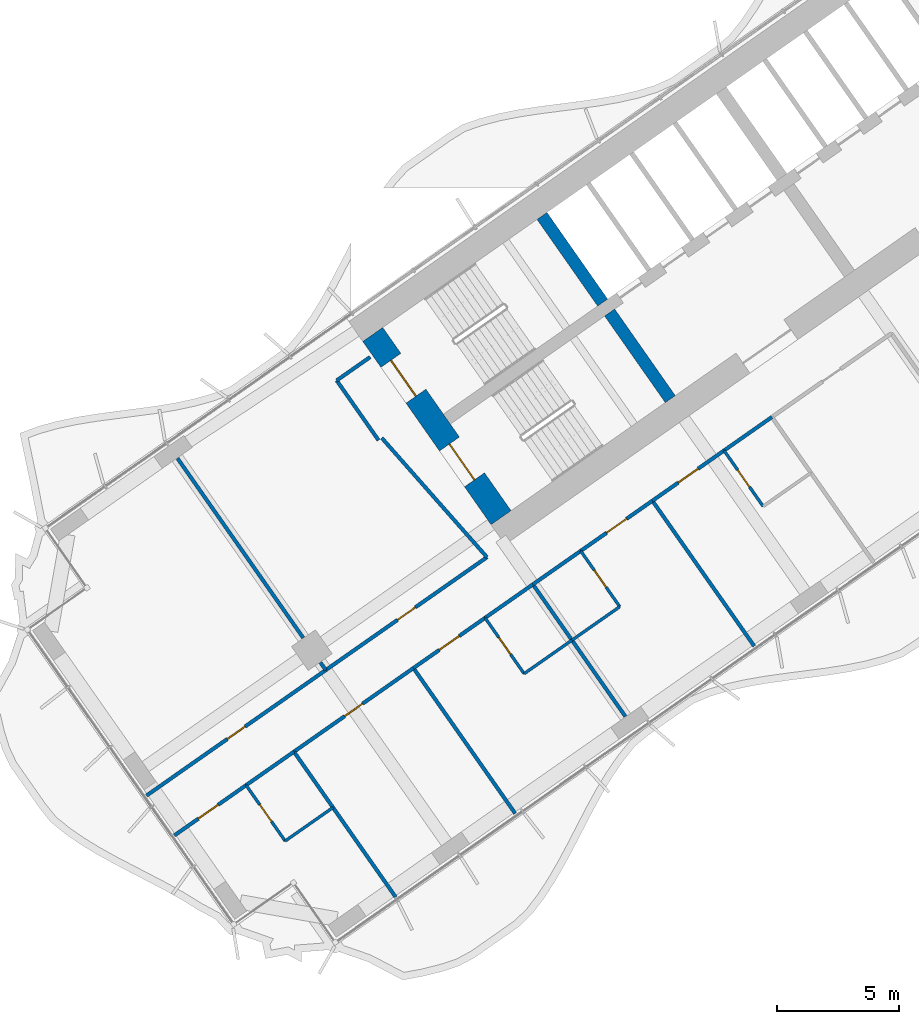
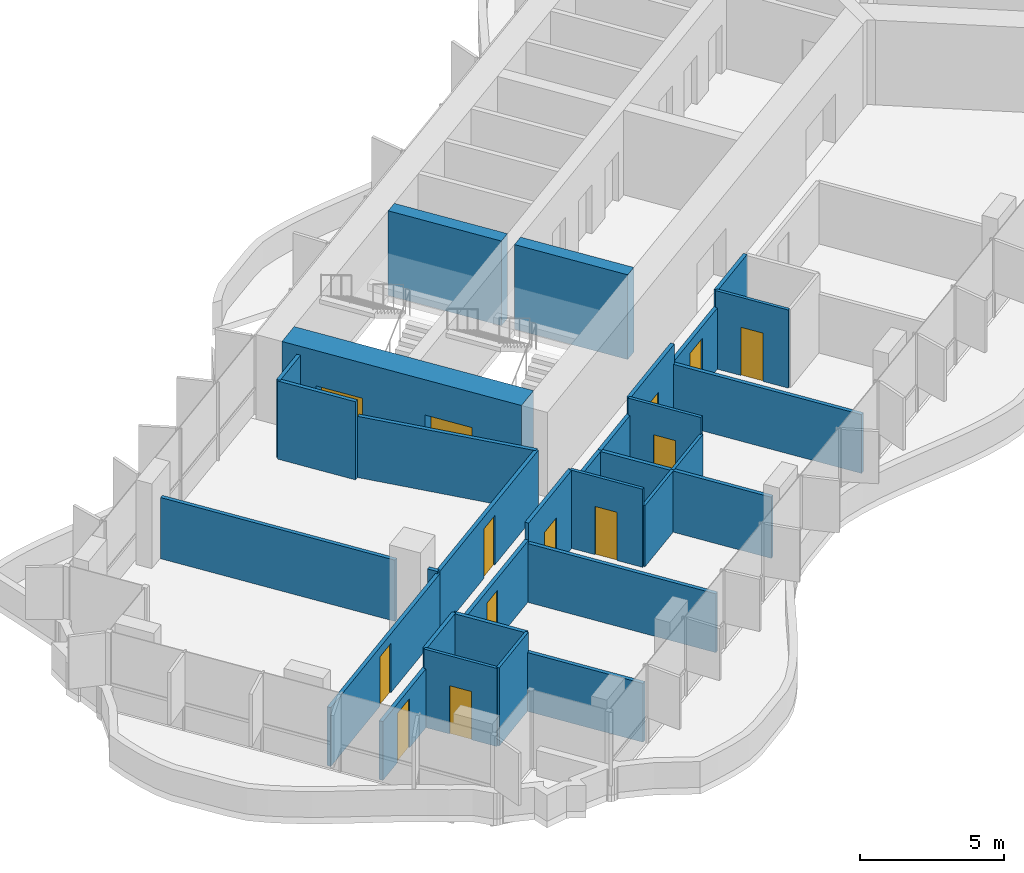
# One storey, part 12 of 23: 32 walls, 13 doors, 13 openings.
"""IFC4 building model written with IfcOpenShell, lengths in metres."""

from ifc_helpers import new_model, si_unit, direction, frame, frame_2d, origin, place, context, subcontext, project, spatial, polyline, rectangle, outline, extrude, material, layer, layer_set, type_object, element, fill, save


model = new_model("IFC4")

# Units and contexts
model_context = context("Model", 3, precision=1e-05, world=origin(), true_north=direction((0.0, 1.0)))
body_context = subcontext(model_context, "Body", "Model", "MODEL_VIEW")
ifc_project = project(units=[si_unit("LENGTHUNIT", "METRE"), si_unit("AREAUNIT", "SQUARE_METRE"), si_unit("VOLUMEUNIT", "CUBIC_METRE"), si_unit("PLANEANGLEUNIT", "RADIAN"), si_unit("MASSUNIT", "GRAM", prefix="KILO")], contexts=[model_context])

# Site, building, storey
site_placement = place(None, origin())
site = spatial("IfcSite", under=ifc_project, at=site_placement, CompositionType="ELEMENT")
building_placement = place(site_placement, origin())
building = spatial("IfcBuilding", under=site, at=building_placement, Name="Tel Ilan Convention Tower", CompositionType="ELEMENT")
storey_placement = place(building_placement, frame((0.0, 0.0, 115.699951171875)))
storey = spatial("IfcBuildingStorey", under=building, at=storey_placement, Name="L25", CompositionType="ELEMENT", Elevation=115.699951171875)

# Wall, openings, doors
ifc_material_1 = material(Name="Concrete C60/75", Category="concrete")
ifc_layer_1 = layer(ifc_material_1, 1.0)
ifc_layer_set_1 = layer_set([ifc_layer_1], Name="Core Shear Wall 1000 mm C60/75")
wall_type_1 = type_object("IfcWallType", Name="Core Shear Wall 1000 mm C60/75", PredefinedType="SHEAR", material=ifc_layer_set_1)
wall_1_placement = place(storey_placement, frame((-21.70751953125, -15.19970703125, 0.0), z_axis=(0.0, 0.0, 1.0), x_axis=(-0.573576324356, 0.819152122709, 0.0)))
wall_1 = element("IfcWall", 1, at=wall_1_placement, inside=storey, type_object=wall_type_1, Name="L25 core wall W-end", PredefinedType="SHEAR", context=body_context, shape_type="SweptSolid", body=[
    extrude(outline(polyline([(0.0, 0.5), (0.0, -0.5), (9.199951171875, -0.5), (9.199951171875, 0.5), (0.0, 0.5)])), origin(), (0.0, 0.0, 1.0), 3.60009765625),
])
opening_1_placement = place(wall_1_placement, frame((6.10009765625, 0.0, 0.0)))
opening_1 = element("IfcOpeningElement", 2, at=opening_1_placement, cuts=wall_1, Name="Opening SD2001", PredefinedType="OPENING", context=body_context, shape_type="SweptSolid", body=[
    extrude(rectangle(XDim=1.800048828125, YDim=2.10009765625, at=frame_2d((0.89990234375, 1.050048828125))), frame((0.0, 0.510009765625, 0.0), z_axis=(0.0, -1.0, 0.0), x_axis=(1.0, 0.0, 0.0)), (0.0, 0.0, 1.0), 1.02001953125),
])
opening_2_placement = place(wall_1_placement, frame((1.89990234375, 0.0, 0.0)))
opening_2 = element("IfcOpeningElement", 3, at=opening_2_placement, cuts=wall_1, Name="Opening SD2002", PredefinedType="OPENING", context=body_context, shape_type="SweptSolid", body=[
    extrude(rectangle(XDim=1.800048828125, YDim=2.10009765625, at=frame_2d((0.89990234375, 1.050048828125))), frame((0.0, 0.510009765625, 0.0), z_axis=(0.0, -1.0, 0.0), x_axis=(1.0, 0.0, 0.0)), (0.0, 0.0, 1.0), 1.02001953125),
])
ifc_material_2 = material(Name="Galvanised Steel Door Leaf", Category="steel")
door_type_1 = type_object("IfcDoorType", Name="Stair Fire Door 1800 x 2100 FD60S", OperationType="NOTDEFINED", PredefinedType="DOOR", material=ifc_material_2)
door_1_placement = place(opening_1_placement, origin())
door_1 = element("IfcDoor", 4, at=door_1_placement, inside=storey, type_object=door_type_1, Name="Stair S1 door", OperationType="DOUBLE_DOOR_SINGLE_SWING", OverallHeight=2.10009765625, OverallWidth=1.800048828125, PredefinedType="DOOR", context=body_context, shape_type="SweptSolid", body=[
    extrude(rectangle(XDim=1.800048828125, YDim=2.10009765625, at=frame_2d((0.89990234375, 1.050048828125))), frame((0.0, 0.02490234375, 0.0), z_axis=(0.0, -1.0, 0.0), x_axis=(1.0, 0.0, 0.0)), (0.0, 0.0, 1.0), 0.050048828125),
])
fill(opening_1, door_1)
door_2_placement = place(opening_2_placement, origin())
door_2 = element("IfcDoor", 5, at=door_2_placement, inside=storey, type_object=door_type_1, Name="Stair S2 door", OperationType="DOUBLE_DOOR_SINGLE_SWING", OverallHeight=2.10009765625, OverallWidth=1.800048828125, PredefinedType="DOOR", context=body_context, shape_type="SweptSolid", body=[
    extrude(rectangle(XDim=1.800048828125, YDim=2.10009765625, at=frame_2d((0.89990234375, 1.050048828125))), frame((0.0, 0.02490234375, 0.0), z_axis=(0.0, -1.0, 0.0), x_axis=(1.0, 0.0, 0.0)), (0.0, 0.0, 1.0), 0.050048828125),
])
fill(opening_2, door_2)

# Walls
ifc_material_3 = material(Name="Concrete C60/75", Category="concrete")
ifc_layer_2 = layer(ifc_material_3, 0.5)
ifc_layer_set_2 = layer_set([ifc_layer_2], Name="Core Shear Wall 500 mm C60/75")
wall_type_2 = type_object("IfcWallType", Name="Core Shear Wall 500 mm C60/75", PredefinedType="SHEAR", material=ifc_layer_set_2)
wall_2_placement = place(storey_placement, frame((-14.74462890625, -10.324462890625, 0.0), z_axis=(0.0, 0.0, 1.0), x_axis=(-0.57356780395, 0.819158088694, 0.0)))
element("IfcWall", 6, at=wall_2_placement, inside=storey, type_object=wall_type_2, Name="L25 core wall W-cross2-1", PredefinedType="SHEAR", context=body_context, shape_type="SweptSolid", body=[
    extrude(outline(polyline([(4.35009765625, 0.250244140625), (0.0, 0.25), (0.0, -0.25), (4.35009765625, -0.25), (4.35009765625, 0.250244140625)])), origin(), (0.0, 0.0, 1.0), 3.60009765625),
])
wall_3_placement = place(storey_placement, frame((-17.526611328125, -6.3515625, 0.0), z_axis=(0.0, 0.0, 1.0), x_axis=(-0.573530143085, 0.819184457233, 0.0)))
element("IfcWall", 7, at=wall_3_placement, inside=storey, type_object=wall_type_2, Name="L25 core wall W-cross2-2", PredefinedType="SHEAR", context=body_context, shape_type="SweptSolid", body=[
    extrude(outline(polyline([(4.35009765625, -0.249755859375), (4.35009765625, 0.250244140625), (0.0, 0.25), (0.0, -0.25), (4.35009765625, -0.249755859375)])), origin(), (0.0, 0.0, 1.0), 3.60009765625),
])

# Wall, opening, door
ifc_material_4 = material(Name="Plasterboard on Steel Studs", Category="steel")
ifc_layer_3 = layer(ifc_material_4, 0.14990234375)
ifc_layer_set_3 = layer_set([ifc_layer_3], Name="Fire-rated Partition 150 EI 60")
wall_type_3 = type_object("IfcWallType", Name="Fire-rated Partition 150 EI 60", PredefinedType="PARTITIONING", material=ifc_layer_set_3)
wall_4_placement = place(storey_placement, frame((-28.91748046875, -21.468994140625, 0.0), z_axis=(0.0, 0.0, 1.0), x_axis=(0.819152599934, 0.573575642807, 0.0)))
wall_4 = element("IfcWall", 8, at=wall_4_placement, inside=storey, type_object=wall_type_3, Name="Partition 021", PredefinedType="PARTITIONING", context=body_context, shape_type="SweptSolid", body=[
    extrude(rectangle(XDim=8.098388671875, YDim=0.14990234375, at=frame_2d((4.04931640625, 0.0))), origin(), (0.0, 0.0, 1.0), 2.60009765625),
])
opening_3_placement = place(wall_4_placement, frame((3.59912109375, 0.0, 0.0)))
opening_3 = element("IfcOpeningElement", 9, at=opening_3_placement, cuts=wall_4, Name="Opening L24-011", PredefinedType="OPENING", context=body_context, shape_type="SweptSolid", body=[
    extrude(rectangle(XDim=0.89990234375, YDim=2.10009765625, at=frame_2d((0.449951171875, 1.050048828125))), frame((0.0, 0.0849609375, 0.0), z_axis=(0.0, -1.0, 0.0), x_axis=(1.0, 0.0, 0.0)), (0.0, 0.0, 1.0), 0.169921875),
])
ifc_material_5 = material(Name="Timber Door Leaf in Steel Frame", Category="steel")
door_type_2 = type_object("IfcDoorType", Name="Room Fire Door 900x2100", OperationType="NOTDEFINED", PredefinedType="DOOR", material=ifc_material_5)
door_3_placement = place(opening_3_placement, origin())
door_3 = element("IfcDoor", 10, at=door_3_placement, inside=storey, type_object=door_type_2, Name="Door L24-011", OperationType="SINGLE_SWING_LEFT", OverallHeight=2.10009765625, OverallWidth=0.89990234375, PredefinedType="DOOR", context=body_context, shape_type="SweptSolid", body=[
    extrude(rectangle(XDim=0.89990234375, YDim=2.10009765625, at=frame_2d((0.449951171875, 1.050048828125))), frame((0.0, 0.02490234375, 0.0), z_axis=(0.0, -1.0, 0.0), x_axis=(1.0, 0.0, 0.0)), (0.0, 0.0, 1.0), 0.050048828125),
])
fill(opening_3, door_3)

wall_5_placement = place(storey_placement, frame((-36.288330078125, -26.630126953125, 0.0), z_axis=(0.0, 0.0, 1.0), x_axis=(0.81915291695, 0.57357519006, 0.0)))
wall_5 = element("IfcWall", 11, at=wall_5_placement, inside=storey, type_object=wall_type_3, Name="Partition 022", PredefinedType="PARTITIONING", context=body_context, shape_type="SweptSolid", body=[
    extrude(rectangle(XDim=9.001953125, YDim=0.14990234375, at=frame_2d((4.5009765625, 0.0))), origin(), (0.0, 0.0, 1.0), 2.5),
])
opening_4_placement = place(wall_5_placement, frame((4.051025390625, 0.0, 0.0)))
opening_4 = element("IfcOpeningElement", 12, at=opening_4_placement, cuts=wall_5, Name="Opening L24-012", PredefinedType="OPENING", context=body_context, shape_type="SweptSolid", body=[
    extrude(rectangle(XDim=0.89990234375, YDim=2.10009765625, at=frame_2d((0.449951171875, 1.050048828125))), frame((0.0, 0.0849609375, 0.0), z_axis=(0.0, -1.0, 0.0), x_axis=(1.0, 0.0, 0.0)), (0.0, 0.0, 1.0), 0.169921875),
])
door_4_placement = place(opening_4_placement, origin())
door_4 = element("IfcDoor", 13, at=door_4_placement, inside=storey, type_object=door_type_2, Name="Door L24-012", OperationType="SINGLE_SWING_LEFT", OverallHeight=2.10009765625, OverallWidth=0.89990234375, PredefinedType="DOOR", context=body_context, shape_type="SweptSolid", body=[
    extrude(rectangle(XDim=0.89990234375, YDim=2.10009765625, at=frame_2d((0.449951171875, 1.050048828125))), frame((0.0, 0.02490234375, 0.0), z_axis=(0.0, -1.0, 0.0), x_axis=(1.0, 0.0, 0.0)), (0.0, 0.0, 1.0), 0.050048828125),
])
fill(opening_4, door_4)

wall_6_placement = place(storey_placement, frame((-12.53173828125, -12.43701171875, 0.0), z_axis=(0.0, 0.0, 1.0), x_axis=(-0.819145961204, -0.573585123798, 0.0)))
wall_6 = element("IfcWall", 14, at=wall_6_placement, inside=storey, type_object=wall_type_3, Name="Partition 024", PredefinedType="PARTITIONING", context=body_context, shape_type="SweptSolid", body=[
    extrude(rectangle(XDim=3.60302734375, YDim=0.14990234375, at=frame_2d((1.801513671875, 0.0))), origin(), (0.0, 0.0, 1.0), 2.60009765625),
])
opening_5_placement = place(wall_6_placement, frame((1.301025390625, 0.0, 0.0)))
opening_5 = element("IfcOpeningElement", 15, at=opening_5_placement, cuts=wall_6, Name="Opening L24-003", PredefinedType="OPENING", context=body_context, shape_type="SweptSolid", body=[
    extrude(rectangle(XDim=1.0, YDim=2.10009765625, at=frame_2d((0.5, 1.050048828125))), frame((0.0, 0.0849609375, 0.0), z_axis=(0.0, -1.0, 0.0), x_axis=(1.0, 0.0, 0.0)), (0.0, 0.0, 1.0), 0.169921875),
])
ifc_material_6 = material(Name="Timber Door Leaf in Steel Frame", Category="steel")
door_type_3 = type_object("IfcDoorType", Name="Hotel Room Entrance Fire Door 1000x2100", OperationType="NOTDEFINED", PredefinedType="DOOR", material=ifc_material_6)
door_5_placement = place(opening_5_placement, origin())
door_5 = element("IfcDoor", 16, at=door_5_placement, inside=storey, type_object=door_type_3, Name="Door L24-003", OperationType="SINGLE_SWING_LEFT", OverallHeight=2.10009765625, OverallWidth=1.0, PredefinedType="DOOR", context=body_context, shape_type="SweptSolid", body=[
    extrude(rectangle(XDim=1.0, YDim=2.10009765625, at=frame_2d((0.5, 1.050048828125))), frame((0.0, 0.02490234375, 0.0), z_axis=(0.0, -1.0, 0.0), x_axis=(1.0, 0.0, 0.0)), (0.0, 0.0, 1.0), 0.050048828125),
])
fill(opening_5, door_5)

# Wall
wall_7_placement = place(storey_placement, frame((-10.56494140625, -11.06005859375, 0.0), z_axis=(0.0, 0.0, 1.0), x_axis=(-0.819193748, -0.57351687267, 0.0)))
element("IfcWall", 17, at=wall_7_placement, inside=storey, type_object=wall_type_3, Name="Partition 025", PredefinedType="PARTITIONING", context=body_context, shape_type="SweptSolid", body=[
    extrude(rectangle(XDim=2.40380859375, YDim=0.14990234375, at=frame_2d((1.201904296875, 0.0))), origin(), (0.0, 0.0, 1.0), 3.320068359375),
])

# Wall, opening, door
wall_8_placement = place(storey_placement, frame((-15.479736328125, -14.50146484375, 0.0), z_axis=(0.0, 0.0, 1.0), x_axis=(-0.819145961204, -0.573585123798, 0.0)))
wall_8 = element("IfcWall", 18, at=wall_8_placement, inside=storey, type_object=wall_type_3, Name="Partition 026", PredefinedType="PARTITIONING", context=body_context, shape_type="SweptSolid", body=[
    extrude(rectangle(XDim=3.60302734375, YDim=0.14990234375, at=frame_2d((1.801513671875, 0.0))), origin(), (0.0, 0.0, 1.0), 3.320068359375),
])
opening_6_placement = place(wall_8_placement, frame((1.302001953125, 0.0, 0.0)))
opening_6 = element("IfcOpeningElement", 19, at=opening_6_placement, cuts=wall_8, Name="Opening L24-005", PredefinedType="OPENING", context=body_context, shape_type="SweptSolid", body=[
    extrude(rectangle(XDim=1.0, YDim=2.10009765625, at=frame_2d((0.5, 1.050048828125))), frame((0.0, 0.0849609375, 0.0), z_axis=(0.0, -1.0, 0.0), x_axis=(1.0, 0.0, 0.0)), (0.0, 0.0, 1.0), 0.169921875),
])
door_6_placement = place(opening_6_placement, origin())
door_6 = element("IfcDoor", 20, at=door_6_placement, inside=storey, type_object=door_type_3, Name="Door L24-005", OperationType="SINGLE_SWING_LEFT", OverallHeight=2.10009765625, OverallWidth=1.0, PredefinedType="DOOR", context=body_context, shape_type="SweptSolid", body=[
    extrude(rectangle(XDim=1.0, YDim=2.10009765625, at=frame_2d((0.5, 1.050048828125))), frame((0.0, 0.02490234375, 0.0), z_axis=(0.0, -1.0, 0.0), x_axis=(1.0, 0.0, 0.0)), (0.0, 0.0, 1.0), 0.050048828125),
])
fill(opening_6, door_6)

# Wall
wall_9_placement = place(storey_placement, frame((-18.4287109375, -16.56640625, 0.0), z_axis=(0.0, 0.0, 1.0), x_axis=(-0.819146032251, -0.573585022335, 0.0)))
element("IfcWall", 21, at=wall_9_placement, inside=storey, type_object=wall_type_3, Name="Partition 027", PredefinedType="PARTITIONING", context=body_context, shape_type="SweptSolid", body=[
    extrude(rectangle(XDim=2.404052734375, YDim=0.14990234375, at=frame_2d((1.2021484375, 0.0))), origin(), (0.0, 0.0, 1.0), 2.60009765625),
])

# Wall, opening, door
wall_10_placement = place(storey_placement, frame((-22.361572265625, -19.320068359375, 0.0), z_axis=(0.0, 0.0, 1.0), x_axis=(-0.819145961204, -0.573585123798, 0.0)))
wall_10 = element("IfcWall", 22, at=wall_10_placement, inside=storey, type_object=wall_type_3, Name="Partition 028", PredefinedType="PARTITIONING", context=body_context, shape_type="SweptSolid", body=[
    extrude(rectangle(XDim=3.60302734375, YDim=0.14990234375, at=frame_2d((1.801513671875, 0.0))), origin(), (0.0, 0.0, 1.0), 3.320068359375),
])
opening_7_placement = place(wall_10_placement, frame((1.301025390625, 0.0, 0.0)))
opening_7 = element("IfcOpeningElement", 23, at=opening_7_placement, cuts=wall_10, Name="Opening L24-007", PredefinedType="OPENING", context=body_context, shape_type="SweptSolid", body=[
    extrude(rectangle(XDim=1.0, YDim=2.10009765625, at=frame_2d((0.5, 1.050048828125))), frame((0.0, 0.0849609375, 0.0), z_axis=(0.0, -1.0, 0.0), x_axis=(1.0, 0.0, 0.0)), (0.0, 0.0, 1.0), 0.169921875),
])
door_7_placement = place(opening_7_placement, origin())
door_7 = element("IfcDoor", 24, at=door_7_placement, inside=storey, type_object=door_type_3, Name="Door L24-007", OperationType="SINGLE_SWING_LEFT", OverallHeight=2.10009765625, OverallWidth=1.0, PredefinedType="DOOR", context=body_context, shape_type="SweptSolid", body=[
    extrude(rectangle(XDim=1.0, YDim=2.10009765625, at=frame_2d((0.5, 1.050048828125))), frame((0.0, 0.02490234375, 0.0), z_axis=(0.0, -1.0, 0.0), x_axis=(1.0, 0.0, 0.0)), (0.0, 0.0, 1.0), 0.050048828125),
])
fill(opening_7, door_7)

# Wall
wall_11_placement = place(storey_placement, frame((-20.394775390625, -17.94287109375, 0.0), z_axis=(0.0, 0.0, 1.0), x_axis=(-0.819146032251, -0.573585022335, 0.0)))
element("IfcWall", 25, at=wall_11_placement, inside=storey, type_object=wall_type_3, Name="Partition 029", PredefinedType="PARTITIONING", context=body_context, shape_type="SweptSolid", body=[
    extrude(rectangle(XDim=2.404052734375, YDim=0.14990234375, at=frame_2d((1.2021484375, 0.0))), origin(), (0.0, 0.0, 1.0), 2.60009765625),
])

# Wall, opening, door
wall_12_placement = place(storey_placement, frame((-25.3095703125, -21.38427734375, 0.0), z_axis=(0.0, 0.0, 1.0), x_axis=(-0.819145946981, -0.573585144111, 0.0)))
wall_12 = element("IfcWall", 26, at=wall_12_placement, inside=storey, type_object=wall_type_3, Name="Partition 030", PredefinedType="PARTITIONING", context=body_context, shape_type="SweptSolid", body=[
    extrude(rectangle(XDim=6.004150390625, YDim=0.14990234375, at=frame_2d((3.001953125, 0.0))), origin(), (0.0, 0.0, 1.0), 2.60009765625),
])
opening_8_placement = place(wall_12_placement, frame((2.552001953125, 0.0, 0.0)))
opening_8 = element("IfcOpeningElement", 27, at=opening_8_placement, cuts=wall_12, Name="Opening L24-008", PredefinedType="OPENING", context=body_context, shape_type="SweptSolid", body=[
    extrude(rectangle(XDim=0.89990234375, YDim=2.10009765625, at=frame_2d((0.449951171875, 1.050048828125))), frame((0.0, 0.0849609375, 0.0), z_axis=(0.0, -1.0, 0.0), x_axis=(1.0, 0.0, 0.0)), (0.0, 0.0, 1.0), 0.169921875),
])
door_8_placement = place(opening_8_placement, origin())
door_8 = element("IfcDoor", 28, at=door_8_placement, inside=storey, type_object=door_type_2, Name="Door L24-008", OperationType="SINGLE_SWING_RIGHT", OverallHeight=2.10009765625, OverallWidth=0.89990234375, PredefinedType="DOOR", context=body_context, shape_type="SweptSolid", body=[
    extrude(rectangle(XDim=0.89990234375, YDim=2.10009765625, at=frame_2d((0.449951171875, 1.050048828125))), frame((0.0, 0.02490234375, 0.0), z_axis=(0.0, -1.0, 0.0), x_axis=(1.0, 0.0, 0.0)), (0.0, 0.0, 1.0), 0.050048828125),
])
fill(opening_8, door_8)

wall_13_placement = place(storey_placement, frame((-32.19140625, -26.202880859375, 0.0), z_axis=(0.0, 0.0, 1.0), x_axis=(-0.819149096931, -0.573580645591, 0.0)))
wall_13 = element("IfcWall", 29, at=wall_13_placement, inside=storey, type_object=wall_type_3, Name="Partition 031", PredefinedType="PARTITIONING", context=body_context, shape_type="SweptSolid", body=[
    extrude(rectangle(XDim=3.600830078125, YDim=0.14990234375, at=frame_2d((1.80029296875, 0.0))), origin(), (0.0, 0.0, 1.0), 2.5),
])
opening_9_placement = place(wall_13_placement, frame((1.40087890625, 0.0, 0.0)))
opening_9 = element("IfcOpeningElement", 30, at=opening_9_placement, cuts=wall_13, Name="Opening L24-010", PredefinedType="OPENING", context=body_context, shape_type="SweptSolid", body=[
    extrude(rectangle(XDim=1.0, YDim=2.10009765625, at=frame_2d((0.5, 1.050048828125))), frame((0.0, 0.0849609375, 0.0), z_axis=(0.0, -1.0, 0.0), x_axis=(1.0, 0.0, 0.0)), (0.0, 0.0, 1.0), 0.169921875),
])
door_9_placement = place(opening_9_placement, origin())
door_9 = element("IfcDoor", 31, at=door_9_placement, inside=storey, type_object=door_type_3, Name="Door L24-010", OperationType="SINGLE_SWING_LEFT", OverallHeight=2.10009765625, OverallWidth=1.0, PredefinedType="DOOR", context=body_context, shape_type="SweptSolid", body=[
    extrude(rectangle(XDim=1.0, YDim=2.10009765625, at=frame_2d((0.5, 1.050048828125))), frame((0.0, 0.02490234375, 0.0), z_axis=(0.0, -1.0, 0.0), x_axis=(1.0, 0.0, 0.0)), (0.0, 0.0, 1.0), 0.050048828125),
])
fill(opening_9, door_9)

# Walls
wall_14_placement = place(storey_placement, frame((-30.224609375, -24.82568359375, 0.0), z_axis=(0.0, 0.0, 1.0), x_axis=(-0.819146032251, -0.573585022335, 0.0)))
element("IfcWall", 32, at=wall_14_placement, inside=storey, type_object=wall_type_3, Name="Partition 032", PredefinedType="PARTITIONING", context=body_context, shape_type="SweptSolid", body=[
    extrude(rectangle(XDim=2.404052734375, YDim=0.14990234375, at=frame_2d((1.2021484375, 0.0))), origin(), (0.0, 0.0, 1.0), 3.320068359375),
])
wall_15_placement = place(storey_placement, frame((-26.74609375, -12.013671875, 0.0), z_axis=(0.0, 0.0, 1.0), x_axis=(-0.573560650686, 0.819163097304, 0.0)))
element("IfcWall", 33, at=wall_15_placement, inside=storey, type_object=wall_type_3, Name="Partition 071", PredefinedType="PARTITIONING", context=body_context, shape_type="SweptSolid", body=[
    extrude(rectangle(XDim=3.0, YDim=0.14990234375, at=frame_2d((1.5, 0.0))), origin(), (0.0, 0.0, 1.0), 3.320068359375),
])
wall_16_placement = place(storey_placement, frame((-28.466796875, -9.55615234375, 0.0), z_axis=(0.0, 0.0, 1.0), x_axis=(0.819109000826, 0.573637903879, 0.0)))
element("IfcWall", 34, at=wall_16_placement, inside=storey, type_object=wall_type_3, Name="Partition 072", PredefinedType="PARTITIONING", context=body_context, shape_type="SweptSolid", body=[
    extrude(rectangle(XDim=1.679931640625, YDim=0.14990234375, at=frame_2d((0.83984375, 0.0))), origin(), (0.0, 0.0, 1.0), 3.320068359375),
])
wall_17_placement = place(storey_placement, frame((-22.2841796875, -16.82666015625, 0.0), z_axis=(0.0, 0.0, 1.0), x_axis=(-0.661545117561, 0.749905365651, 0.0)))
element("IfcWall", 35, at=wall_17_placement, inside=storey, type_object=wall_type_3, Name="Partition 073", PredefinedType="PARTITIONING", context=body_context, shape_type="SweptSolid", body=[
    extrude(rectangle(XDim=6.542724609375, YDim=0.14990234375, at=frame_2d((3.271484375, 0.0))), origin(), (0.0, 0.0, 1.0), 2.60009765625),
])
wall_18_placement = place(storey_placement, frame((-28.916015625, -21.468017578125, 0.0), z_axis=(0.0, 0.0, 1.0), x_axis=(-0.572944929411, 0.819593867633, 0.0)))
element("IfcWall", 36, at=wall_18_placement, inside=storey, type_object=wall_type_3, Name="Partition 074", PredefinedType="PARTITIONING", context=body_context, shape_type="SweptSolid", body=[
    extrude(rectangle(XDim=0.380126953125, YDim=0.14990234375, at=frame_2d((0.18994140625, 0.0))), origin(), (0.0, 0.0, 1.0), 2.60009765625),
])
wall_19_placement = place(storey_placement, frame((-29.84521484375, -20.140869140625, 0.0), z_axis=(0.0, 0.0, 1.0), x_axis=(-0.573558725113, 0.819164445546, 0.0)))
element("IfcWall", 37, at=wall_19_placement, inside=storey, type_object=wall_type_3, Name="Partition 075", PredefinedType="PARTITIONING", context=body_context, shape_type="SweptSolid", body=[
    extrude(rectangle(XDim=9.010009765625, YDim=0.14990234375, at=frame_2d((4.5048828125, 0.0))), origin(), (0.0, 0.0, 1.0), 2.60009765625),
])
wall_20_placement = place(storey_placement, frame((-11.29443359375, -20.482421875, 0.0), z_axis=(0.0, 0.0, 1.0), x_axis=(-0.573572324301, 0.819154923562, 0.0)))
element("IfcWall", 38, at=wall_20_placement, inside=storey, type_object=wall_type_3, Name="Partition 080", PredefinedType="PARTITIONING", context=body_context, shape_type="SweptSolid", body=[
    extrude(rectangle(XDim=7.2998046875, YDim=0.14990234375, at=frame_2d((3.64990234375, 0.0))), origin(), (0.0, 0.0, 1.0), 2.5),
])
wall_21_placement = place(storey_placement, frame((-16.593505859375, -23.375, 0.0), z_axis=(0.0, 0.0, 1.0), x_axis=(-0.573594994199, 0.819139049631, 0.0)))
element("IfcWall", 39, at=wall_21_placement, inside=storey, type_object=wall_type_3, Name="Partition 083", PredefinedType="PARTITIONING", context=body_context, shape_type="SweptSolid", body=[
    extrude(rectangle(XDim=3.8291015625, YDim=0.14990234375, at=frame_2d((1.91455078125, 0.0))), origin(), (0.0, 0.0, 1.0), 2.60009765625),
])
wall_22_placement = place(storey_placement, frame((-18.790283203125, -20.237548828125, 0.0), z_axis=(0.0, 0.0, 1.0), x_axis=(-0.57364959175, 0.819100815459, 0.0)))
element("IfcWall", 40, at=wall_22_placement, inside=storey, type_object=wall_type_3, Name="Partition 084", PredefinedType="PARTITIONING", context=body_context, shape_type="SweptSolid", body=[
    extrude(rectangle(XDim=2.800048828125, YDim=0.14990234375, at=frame_2d((1.39990234375, 0.0))), origin(), (0.0, 0.0, 1.0), 2.60009765625),
])
wall_23_placement = place(storey_placement, frame((-21.124267578125, -27.365234375, 0.0), z_axis=(0.0, 0.0, 1.0), x_axis=(-0.573572324301, 0.819154923562, 0.0)))
element("IfcWall", 41, at=wall_23_placement, inside=storey, type_object=wall_type_3, Name="Partition 087", PredefinedType="PARTITIONING", context=body_context, shape_type="SweptSolid", body=[
    extrude(rectangle(XDim=7.2998046875, YDim=0.14990234375, at=frame_2d((3.64990234375, 0.0))), origin(), (0.0, 0.0, 1.0), 2.5),
])
wall_24_placement = place(storey_placement, frame((-26.0390625, -30.806640625, 0.0), z_axis=(0.0, 0.0, 1.0), x_axis=(-0.573593387921, 0.81914017441, 0.0)))
element("IfcWall", 42, at=wall_24_placement, inside=storey, type_object=wall_type_3, Name="Partition 088", PredefinedType="PARTITIONING", context=body_context, shape_type="SweptSolid", body=[
    extrude(rectangle(XDim=4.5009765625, YDim=0.14990234375, at=frame_2d((2.25048828125, 0.0))), origin(), (0.0, 0.0, 1.0), 2.5),
])
wall_25_placement = place(storey_placement, frame((-28.618896484375, -27.122314453125, 0.0), z_axis=(0.0, 0.0, 1.0), x_axis=(-0.573614360281, 0.819125488359, 0.0)))
element("IfcWall", 43, at=wall_25_placement, inside=storey, type_object=wall_type_3, Name="Partition 089", PredefinedType="PARTITIONING", context=body_context, shape_type="SweptSolid", body=[
    extrude(rectangle(XDim=2.80224609375, YDim=0.14990234375, at=frame_2d((1.401123046875, 0.0))), origin(), (0.0, 0.0, 1.0), 3.320068359375),
])

# Wall, opening, door
ifc_material_7 = material(Name="Plasterboard on Steel Studs", Category="steel")
ifc_layer_4 = layer(ifc_material_7, 0.1201171875)
ifc_layer_set_4 = layer_set([ifc_layer_4], Name="Moisture-resistant Partition 120")
wall_type_4 = type_object("IfcWallType", Name="Moisture-resistant Partition 120", PredefinedType="PARTITIONING", material=ifc_layer_set_4)
wall_26_placement = place(storey_placement, frame((-12.533203125, -12.438232421875, 0.0), z_axis=(0.0, 0.0, 1.0), x_axis=(0.573550118428, -0.819170471667, 0.0)))
wall_26 = element("IfcWall", 44, at=wall_26_placement, inside=storey, type_object=wall_type_4, Name="Partition 078", PredefinedType="PARTITIONING", context=body_context, shape_type="SweptSolid", body=[
    extrude(rectangle(XDim=2.800048828125, YDim=0.1201171875, at=frame_2d((1.39990234375, 0.0))), origin(), (0.0, 0.0, 1.0), 3.320068359375),
])
opening_10_placement = place(wall_26_placement, frame((0.97509765625, 0.0, 0.0)))
opening_10 = element("IfcOpeningElement", 45, at=opening_10_placement, cuts=wall_26, Name="Opening L24-002", PredefinedType="OPENING", context=body_context, shape_type="SweptSolid", body=[
    extrude(rectangle(XDim=0.85009765625, YDim=2.050048828125, at=frame_2d((0.425048828125, 1.02490234375))), frame((0.0, 0.070068359375, 0.0), z_axis=(0.0, -1.0, 0.0), x_axis=(1.0, 0.0, 0.0)), (0.0, 0.0, 1.0), 0.14013671875),
])
ifc_material_8 = material(Name="Timber Door Leaf in Steel Frame", Category="steel")
door_type_4 = type_object("IfcDoorType", Name="Bathroom Timber Door 850x2050", OperationType="NOTDEFINED", PredefinedType="DOOR", material=ifc_material_8)
door_10_placement = place(opening_10_placement, origin())
door_10 = element("IfcDoor", 46, at=door_10_placement, inside=storey, type_object=door_type_4, Name="Door L24-002", OperationType="SINGLE_SWING_RIGHT", OverallHeight=2.050048828125, OverallWidth=0.85009765625, PredefinedType="DOOR", context=body_context, shape_type="SweptSolid", body=[
    extrude(rectangle(XDim=0.85009765625, YDim=2.050048828125, at=frame_2d((0.425048828125, 1.02490234375))), frame((0.0, 0.02490234375, 0.0), z_axis=(0.0, -1.0, 0.0), x_axis=(1.0, 0.0, 0.0)), (0.0, 0.0, 1.0), 0.050048828125),
])
fill(opening_10, door_10)

# Wall
wall_27_placement = place(storey_placement, frame((-18.789794921875, -20.238525390625, 0.0), z_axis=(0.0, 0.0, 1.0), x_axis=(0.819141114317, 0.573592045652, 0.0)))
element("IfcWall", 47, at=wall_27_placement, inside=storey, type_object=wall_type_4, Name="Partition 081", PredefinedType="PARTITIONING", context=body_context, shape_type="SweptSolid", body=[
    extrude(rectangle(XDim=2.400146484375, YDim=0.1201171875, at=frame_2d((1.2001953125, 0.0))), origin(), (0.0, 0.0, 1.0), 2.60009765625),
])

# Wall, opening, door
wall_28_placement = place(storey_placement, frame((-16.823486328125, -18.860595703125, 0.0), z_axis=(0.0, 0.0, 1.0), x_axis=(-0.573608623498, 0.819129505664, 0.0)))
wall_28 = element("IfcWall", 48, at=wall_28_placement, inside=storey, type_object=wall_type_4, Name="Partition 082", PredefinedType="PARTITIONING", context=body_context, shape_type="SweptSolid", body=[
    extrude(rectangle(XDim=2.800048828125, YDim=0.1201171875, at=frame_2d((1.39990234375, 0.0))), origin(), (0.0, 0.0, 1.0), 3.320068359375),
])
opening_11_placement = place(wall_28_placement, frame((0.97509765625, 0.0, 0.0)))
opening_11 = element("IfcOpeningElement", 49, at=opening_11_placement, cuts=wall_28, Name="Opening L24-004", PredefinedType="OPENING", context=body_context, shape_type="SweptSolid", body=[
    extrude(rectangle(XDim=0.85009765625, YDim=2.050048828125, at=frame_2d((0.425048828125, 1.02490234375))), frame((0.0, 0.070068359375, 0.0), z_axis=(0.0, -1.0, 0.0), x_axis=(1.0, 0.0, 0.0)), (0.0, 0.0, 1.0), 0.14013671875),
])
door_11_placement = place(opening_11_placement, origin())
door_11 = element("IfcDoor", 50, at=door_11_placement, inside=storey, type_object=door_type_4, Name="Door L24-004", OperationType="SINGLE_SWING_RIGHT", OverallHeight=2.050048828125, OverallWidth=0.85009765625, PredefinedType="DOOR", context=body_context, shape_type="SweptSolid", body=[
    extrude(rectangle(XDim=0.85009765625, YDim=2.050048828125, at=frame_2d((0.425048828125, 1.02490234375))), frame((0.0, 0.02490234375, 0.0), z_axis=(0.0, -1.0, 0.0), x_axis=(1.0, 0.0, 0.0)), (0.0, 0.0, 1.0), 0.050048828125),
])
fill(opening_11, door_11)

wall_29_placement = place(storey_placement, frame((-22.36328125, -19.3212890625, 0.0), z_axis=(0.0, 0.0, 1.0), x_axis=(0.57364959175, -0.819100815459, 0.0)))
wall_29 = element("IfcWall", 51, at=wall_29_placement, inside=storey, type_object=wall_type_4, Name="Partition 085", PredefinedType="PARTITIONING", context=body_context, shape_type="SweptSolid", body=[
    extrude(rectangle(XDim=2.800048828125, YDim=0.1201171875, at=frame_2d((1.39990234375, 0.0))), origin(), (0.0, 0.0, 1.0), 3.320068359375),
])
opening_12_placement = place(wall_29_placement, frame((0.97509765625, 0.0, 0.0)))
opening_12 = element("IfcOpeningElement", 52, at=opening_12_placement, cuts=wall_29, Name="Opening L24-006", PredefinedType="OPENING", context=body_context, shape_type="SweptSolid", body=[
    extrude(rectangle(XDim=0.85009765625, YDim=2.050048828125, at=frame_2d((0.425048828125, 1.02490234375))), frame((0.0, 0.070068359375, 0.0), z_axis=(0.0, -1.0, 0.0), x_axis=(1.0, 0.0, 0.0)), (0.0, 0.0, 1.0), 0.14013671875),
])
door_12_placement = place(opening_12_placement, origin())
door_12 = element("IfcDoor", 53, at=door_12_placement, inside=storey, type_object=door_type_4, Name="Door L24-006", OperationType="SINGLE_SWING_RIGHT", OverallHeight=2.050048828125, OverallWidth=0.85009765625, PredefinedType="DOOR", context=body_context, shape_type="SweptSolid", body=[
    extrude(rectangle(XDim=0.85009765625, YDim=2.050048828125, at=frame_2d((0.425048828125, 1.02490234375))), frame((0.0, 0.02490234375, 0.0), z_axis=(0.0, -1.0, 0.0), x_axis=(1.0, 0.0, 0.0)), (0.0, 0.0, 1.0), 0.050048828125),
])
fill(opening_12, door_12)

# Wall
wall_30_placement = place(storey_placement, frame((-20.755859375, -21.614990234375, 0.0), z_axis=(0.0, 0.0, 1.0), x_axis=(0.819188907105, 0.573523787192, 0.0)))
element("IfcWall", 54, at=wall_30_placement, inside=storey, type_object=wall_type_4, Name="Partition 086", PredefinedType="PARTITIONING", context=body_context, shape_type="SweptSolid", body=[
    extrude(rectangle(XDim=2.39990234375, YDim=0.1201171875, at=frame_2d((1.199951171875, 0.0))), origin(), (0.0, 0.0, 1.0), 2.60009765625),
])

# Wall, opening, door
wall_31_placement = place(storey_placement, frame((-32.193115234375, -26.2041015625, 0.0), z_axis=(0.0, 0.0, 1.0), x_axis=(0.573608623498, -0.819129505664, 0.0)))
wall_31 = element("IfcWall", 55, at=wall_31_placement, inside=storey, type_object=wall_type_4, Name="Partition 090", PredefinedType="PARTITIONING", context=body_context, shape_type="SweptSolid", body=[
    extrude(rectangle(XDim=2.800048828125, YDim=0.1201171875, at=frame_2d((1.39990234375, 0.0))), origin(), (0.0, 0.0, 1.0), 3.320068359375),
])
opening_13_placement = place(wall_31_placement, frame((0.97509765625, 0.0, 0.0)))
opening_13 = element("IfcOpeningElement", 56, at=opening_13_placement, cuts=wall_31, Name="Opening L24-009", PredefinedType="OPENING", context=body_context, shape_type="SweptSolid", body=[
    extrude(rectangle(XDim=0.85009765625, YDim=2.050048828125, at=frame_2d((0.425048828125, 1.02490234375))), frame((0.0, 0.070068359375, 0.0), z_axis=(0.0, -1.0, 0.0), x_axis=(1.0, 0.0, 0.0)), (0.0, 0.0, 1.0), 0.14013671875),
])
door_13_placement = place(opening_13_placement, origin())
door_13 = element("IfcDoor", 57, at=door_13_placement, inside=storey, type_object=door_type_4, Name="Door L24-009", OperationType="SINGLE_SWING_LEFT", OverallHeight=2.050048828125, OverallWidth=0.85009765625, PredefinedType="DOOR", context=body_context, shape_type="SweptSolid", body=[
    extrude(rectangle(XDim=0.85009765625, YDim=2.050048828125, at=frame_2d((0.425048828125, 1.02490234375))), frame((0.0, 0.02490234375, 0.0), z_axis=(0.0, -1.0, 0.0), x_axis=(1.0, 0.0, 0.0)), (0.0, 0.0, 1.0), 0.050048828125),
])
fill(opening_13, door_13)

# Wall
wall_32_placement = place(storey_placement, frame((-30.585693359375, -28.498046875, 0.0), z_axis=(0.0, 0.0, 1.0), x_axis=(0.819141114317, 0.573592045652, 0.0)))
element("IfcWall", 58, at=wall_32_placement, inside=storey, type_object=wall_type_4, Name="Partition 091", PredefinedType="PARTITIONING", context=body_context, shape_type="SweptSolid", body=[
    extrude(rectangle(XDim=2.400146484375, YDim=0.1201171875, at=frame_2d((1.2001953125, 0.0))), origin(), (0.0, 0.0, 1.0), 3.320068359375),
])

save(model, "model.ifc")
